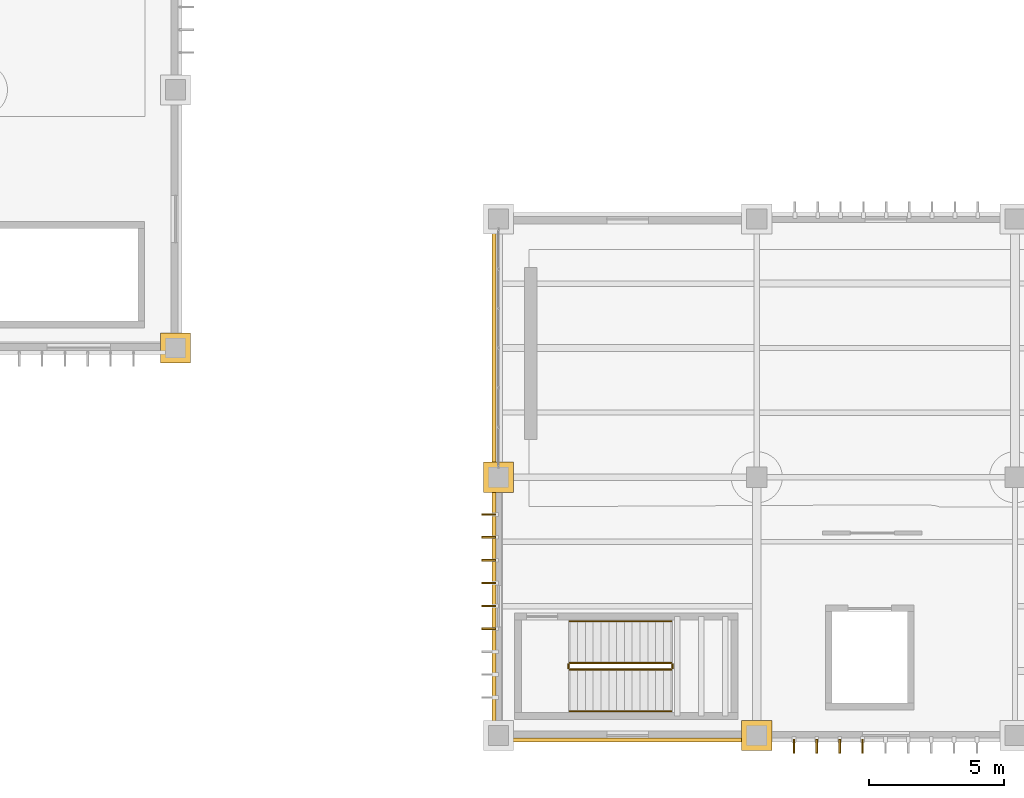
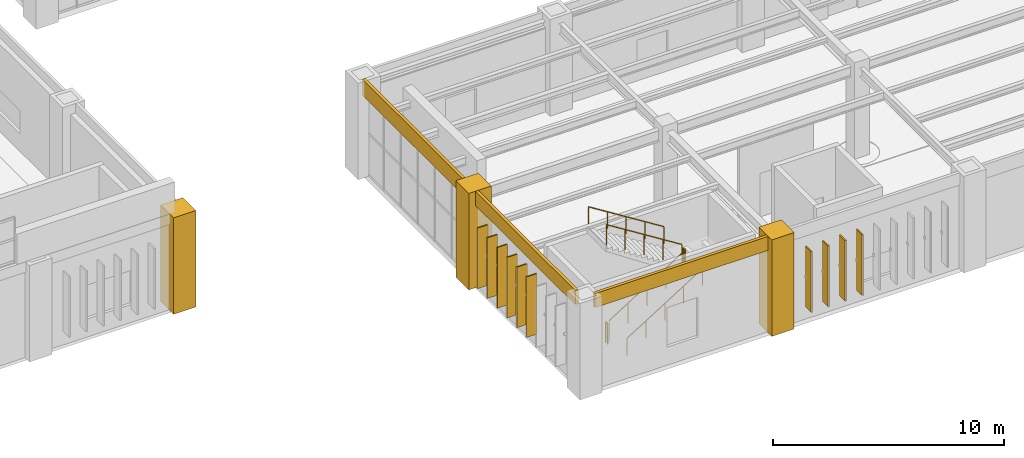
# One storey, part 160 of 174: 10 shading devices, 6 coverings, 6 railings.
"""IFC4 building model written with IfcOpenShell, lengths in metres."""

from ifc_helpers import new_model, si_unit, direction, frame, origin, origin_2d, place, context, subcontext, project, spatial, polyline, rectangle, circle, outline, extrude, material, layer, layer_set, type_object, element, save


model = new_model("IFC4")

# Units and contexts
model_context = context("Model", 3, precision=1e-05, world=origin(), true_north=direction((0.0, 1.0)))
body_context = subcontext(model_context, "Body", "Model", "MODEL_VIEW")
ifc_project = project(units=[si_unit("LENGTHUNIT", "METRE"), si_unit("AREAUNIT", "SQUARE_METRE"), si_unit("VOLUMEUNIT", "CUBIC_METRE"), si_unit("PLANEANGLEUNIT", "RADIAN"), si_unit("MASSUNIT", "GRAM", prefix="KILO")], contexts=[model_context])

# Site, building, storey
site_placement = place(None, origin())
site = spatial("IfcSite", under=ifc_project, at=site_placement, CompositionType="ELEMENT")
building_placement = place(site_placement, origin())
building = spatial("IfcBuilding", under=site, at=building_placement, Name="Mavantir Sound Aquarium", CompositionType="ELEMENT")
storey_placement = place(building_placement, frame((0.0, 0.0, 5.39990234375)))
storey = spatial("IfcBuildingStorey", under=building, at=storey_placement, Name="L01", CompositionType="ELEMENT", Elevation=5.39990234375)

# Coverings
ifc_material_1 = material(Name="Honed Coral-Limestone & Glazed Terracotta Rainscreen Cladding", Category="masonry")
ifc_layer = layer(ifc_material_1, 0.06005859375, Name="Honed Coral-Limestone & Glazed Terracotta Rainscreen Cladding")
ifc_layer_set = layer_set([ifc_layer], Name="Honed Coral-Limestone & Glazed Terracotta Rainscreen Cladding")
covering_type = type_object("IfcCoveringType", Name="COV-CLAD-TC", PredefinedType="CLADDING", material=ifc_layer_set)
covering_1_placement = place(storey_placement, frame((0.0, 0.0, 4.2490234375)))
element("IfcCovering", 1, at=covering_1_placement, inside=storey, type_object=covering_type, Name="L01 Postmodern coral-limestone spandrel frieze 267", PredefinedType="CLADDING", context=body_context, shape_type="SweptSolid", body=[
    extrude(outline(polyline([(107.909912109375, 18.81689453125), (107.909912109375, 9.98291015625), (107.760009765625, 9.98291015625), (107.760009765625, 18.81689453125), (107.909912109375, 18.81689453125)])), origin(), (0.0, 0.0, 1.0), 0.85107421875),
])
covering_2_placement = place(storey_placement, frame((0.0, 0.0, 4.356201171875)))
element("IfcCovering", 2, at=covering_2_placement, inside=storey, type_object=covering_type, Name="L01 Postmodern coral-limestone spandrel frieze 268", PredefinedType="CLADDING", context=body_context, shape_type="SweptSolid", body=[
    extrude(outline(polyline([(107.909912109375, 9.217041015625), (107.909912109375, 0.383056640625), (107.760009765625, 0.383056640625), (107.760009765625, 9.217041015625), (107.909912109375, 9.217041015625)])), origin(), (0.0, 0.0, 1.0), 0.743896484375),
])
covering_3_placement = place(storey_placement, frame((0.0, 0.0, 4.358154296875)))
element("IfcCovering", 3, at=covering_3_placement, inside=storey, type_object=covering_type, Name="L01 Postmodern coral-limestone spandrel frieze 269", PredefinedType="CLADDING", context=body_context, shape_type="SweptSolid", body=[
    extrude(outline(polyline([(108.383056640625, -0.090087890625), (117.217041015625, -0.090087890625), (117.217041015625, -0.239990234375), (108.383056640625, -0.239990234375), (108.383056640625, -0.090087890625)])), origin(), (0.0, 0.0, 1.0), 0.741943359375),
])
covering_4_placement = place(storey_placement, origin())
element("IfcCovering", 4, at=covering_4_placement, inside=storey, type_object=covering_type, Name="L01 Postmodern coral-limestone pilaster casing 422", PredefinedType="CLADDING", context=body_context, shape_type="SweptSolid", body=[
    extrude(outline(polyline([(107.43994140625, 9.0400390625), (108.56005859375, 9.0400390625), (108.56005859375, 10.159912109375), (107.43994140625, 10.159912109375), (107.43994140625, 9.0400390625)])), origin(), (0.0, 0.0, 1.0), 5.10009765625),
])
covering_5_placement = place(storey_placement, origin())
element("IfcCovering", 5, at=covering_5_placement, inside=storey, type_object=covering_type, Name="L01 Postmodern coral-limestone pilaster casing 431", PredefinedType="CLADDING", context=body_context, shape_type="SweptSolid", body=[
    extrude(outline(polyline([(117.0400390625, -0.56005859375), (118.159912109375, -0.56005859375), (118.159912109375, 0.56005859375), (117.0400390625, 0.56005859375), (117.0400390625, -0.56005859375)])), origin(), (0.0, 0.0, 1.0), 5.10009765625),
])
covering_6_placement = place(storey_placement, origin())
element("IfcCovering", 6, at=covering_6_placement, inside=storey, type_object=covering_type, Name="L01 Postmodern coral-limestone pilaster casing 486", PredefinedType="CLADDING", context=body_context, shape_type="SweptSolid", body=[
    extrude(outline(polyline([(95.43994140625, 13.840087890625), (96.56005859375, 13.840087890625), (96.56005859375, 14.9599609375), (95.43994140625, 14.9599609375), (95.43994140625, 13.840087890625)])), origin(), (0.0, 0.0, 1.0), 5.10009765625),
])

# Railings
ifc_material_2 = material(Name="Stainless Steel 316 and Laminated Glass Guardrail", Category="steel")
railing_type_1 = type_object("IfcRailingType", Name="RL-GUARD-110", PredefinedType="GUARDRAIL", material=ifc_material_2)
railing_1_placement = place(storey_placement, frame((110.64990234375, 2.449951171875, 0.18212890625)))
element("IfcRailing", 7, at=railing_1_placement, inside=storey, type_object=railing_type_1, Name="L01 ST6 stair guard 1", PredefinedType="GUARDRAIL", context=body_context, shape_type="SweptSolid", body=[
    extrude(circle(Radius=0.02392578125, at=origin_2d()), frame((0.0, 0.0, 1.076171875), z_axis=(0.846819337722, 0.0, 0.53188063441), x_axis=(0.0, 1.0, 0.0)), (0.0, 0.0, 1.0), 4.451904296875),
    extrude(circle(Radius=0.02099609375, at=origin_2d()), origin(), (0.0, 0.0, 1.0), 1.052001953125),
    extrude(circle(Radius=0.02099609375, at=origin_2d()), frame((0.9423828125, 0.0, 0.592041015625)), (0.0, 0.0, 1.0), 1.052001953125),
    extrude(circle(Radius=0.02099609375, at=origin_2d()), frame((1.885009765625, 0.0, 1.18408203125)), (0.0, 0.0, 1.0), 1.052001953125),
    extrude(circle(Radius=0.02099609375, at=origin_2d()), frame((2.82763671875, 0.0, 1.77587890625)), (0.0, 0.0, 1.0), 1.052001953125),
    extrude(circle(Radius=0.02099609375, at=origin_2d()), frame((3.77001953125, 0.0, 2.367919921875)), (0.0, 0.0, 1.0), 1.052001953125),
])
railing_2_placement = place(storey_placement, frame((114.469970703125, 2.5, 2.550048828125)))
element("IfcRailing", 8, at=railing_2_placement, inside=storey, type_object=railing_type_1, Name="L01 ST6 stair guard 2", PredefinedType="GUARDRAIL", context=body_context, shape_type="SweptSolid", body=[
    extrude(circle(Radius=0.02392578125, at=origin_2d()), frame((0.0, 0.0, 1.076171875), z_axis=(0.0, 1.0, 0.0), x_axis=(-1.0, 0.0, 0.0)), (0.0, 0.0, 1.0), 0.14990234375),
    extrude(circle(Radius=0.02099609375, at=origin_2d()), origin(), (0.0, 0.0, 1.0), 1.052001953125),
    extrude(circle(Radius=0.02099609375, at=origin_2d()), frame((0.0, 0.14990234375, 0.0)), (0.0, 0.0, 1.0), 1.052001953125),
])
railing_3_placement = place(storey_placement, frame((114.419921875, 2.699951171875, 2.732177734375)))
element("IfcRailing", 9, at=railing_3_placement, inside=storey, type_object=railing_type_1, Name="L01 ST6 stair guard 3", PredefinedType="GUARDRAIL", context=body_context, shape_type="SweptSolid", body=[
    extrude(circle(Radius=0.02392578125, at=origin_2d()), frame((0.0, 0.0, 1.076171875), z_axis=(-0.846819337722, 0.0, 0.53188063441), x_axis=(0.0, -1.0, 0.0)), (0.0, 0.0, 1.0), 4.451904296875),
    extrude(circle(Radius=0.02099609375, at=origin_2d()), origin(), (0.0, 0.0, 1.0), 1.052001953125),
    extrude(circle(Radius=0.02099609375, at=origin_2d()), frame((-0.9423828125, 0.0, 0.592041015625)), (0.0, 0.0, 1.0), 1.052001953125),
    extrude(circle(Radius=0.02099609375, at=origin_2d()), frame((-1.885009765625, 0.0, 1.18408203125)), (0.0, 0.0, 1.0), 1.052001953125),
    extrude(circle(Radius=0.02099609375, at=origin_2d()), frame((-2.82763671875, 0.0, 1.77587890625)), (0.0, 0.0, 1.0), 1.052001953125),
    extrude(circle(Radius=0.02099609375, at=origin_2d()), frame((-3.77001953125, 0.0, 2.367919921875)), (0.0, 0.0, 1.0), 1.052001953125),
])
railing_4_placement = place(storey_placement, frame((110.60009765625, 2.5, 0.0)))
element("IfcRailing", 10, at=railing_4_placement, inside=storey, type_object=railing_type_1, Name="L01 ST6 stair guard 4", PredefinedType="GUARDRAIL", context=body_context, shape_type="SweptSolid", body=[
    extrude(circle(Radius=0.02392578125, at=origin_2d()), frame((0.0, 0.0, 1.076171875), z_axis=(0.0, 1.0, 0.0), x_axis=(-1.0, 0.0, 0.0)), (0.0, 0.0, 1.0), 0.14990234375),
    extrude(circle(Radius=0.02099609375, at=origin_2d()), origin(), (0.0, 0.0, 1.0), 1.052001953125),
    extrude(circle(Radius=0.02099609375, at=origin_2d()), frame((0.0, 0.14990234375, 0.0)), (0.0, 0.0, 1.0), 1.052001953125),
])
ifc_material_3 = material(Name="Brushed Stainless Steel 316 Handrail", Category="steel")
railing_type_2 = type_object("IfcRailingType", Name="RL-HR-90", PredefinedType="HANDRAIL", material=ifc_material_3)
railing_5_placement = place(storey_placement, frame((110.64990234375, 0.89990234375, 0.3671875)))
element("IfcRailing", 11, at=railing_5_placement, inside=storey, type_object=railing_type_2, Name="L01 ST6 stair handrail 1", PredefinedType="HANDRAIL", context=body_context, shape_type="SweptSolid", body=[
    extrude(circle(Radius=0.02392578125, at=origin_2d()), frame((0.0, 0.0, 0.89111328125), z_axis=(0.846819337722, 0.0, 0.53188063441), x_axis=(0.0, 1.0, 0.0)), (0.0, 0.0, 1.0), 4.451904296875),
    extrude(circle(Radius=0.02099609375, at=origin_2d()), origin(), (0.0, 0.0, 1.0), 0.866943359375),
    extrude(circle(Radius=0.02099609375, at=origin_2d()), frame((0.9423828125, 0.0, 0.592041015625)), (0.0, 0.0, 1.0), 0.866943359375),
    extrude(circle(Radius=0.02099609375, at=origin_2d()), frame((1.885009765625, 0.0, 1.18408203125)), (0.0, 0.0, 1.0), 0.866943359375),
    extrude(circle(Radius=0.02099609375, at=origin_2d()), frame((2.82763671875, 0.0, 1.77587890625)), (0.0, 0.0, 1.0), 0.866943359375),
    extrude(circle(Radius=0.02099609375, at=origin_2d()), frame((3.77001953125, 0.0, 2.367919921875)), (0.0, 0.0, 1.0), 0.866943359375),
])
railing_6_placement = place(storey_placement, frame((114.419921875, 4.25, 2.917236328125)))
element("IfcRailing", 12, at=railing_6_placement, inside=storey, type_object=railing_type_2, Name="L01 ST6 stair handrail 2", PredefinedType="HANDRAIL", context=body_context, shape_type="SweptSolid", body=[
    extrude(circle(Radius=0.02392578125, at=origin_2d()), frame((0.0, 0.0, 0.89111328125), z_axis=(-0.846819337722, 0.0, 0.53188063441), x_axis=(0.0, -1.0, 0.0)), (0.0, 0.0, 1.0), 4.451904296875),
    extrude(circle(Radius=0.02099609375, at=origin_2d()), origin(), (0.0, 0.0, 1.0), 0.866943359375),
    extrude(circle(Radius=0.02099609375, at=origin_2d()), frame((-0.9423828125, 0.0, 0.592041015625)), (0.0, 0.0, 1.0), 0.866943359375),
    extrude(circle(Radius=0.02099609375, at=origin_2d()), frame((-1.885009765625, 0.0, 1.18408203125)), (0.0, 0.0, 1.0), 0.866943359375),
    extrude(circle(Radius=0.02099609375, at=origin_2d()), frame((-2.82763671875, 0.0, 1.77587890625)), (0.0, 0.0, 1.0), 0.866943359375),
    extrude(circle(Radius=0.02099609375, at=origin_2d()), frame((-3.77001953125, 0.0, 2.367919921875)), (0.0, 0.0, 1.0), 0.866943359375),
])

# Shading devices
ifc_material_4 = material(Name="Anodised Terracotta-Finish Aluminium Brise-Soleil", Category="masonry")
shading_device_type = type_object("IfcShadingDeviceType", Name="SHD-FIN-520", PredefinedType="JALOUSIE", material=ifc_material_4)
for number, where, z_axis, x_axis, name in (
    (13, (107.639892578125, 8.217041015625, 0.60302734375), (0.0, 0.0, 1.0), (0.0, 1.0, 0.0), "Tropical solar brise-soleil fin 47"),
    (14, (107.639892578125, 7.366943359375, 0.60302734375), (0.0, 0.0, 1.0), (0.0, 1.0, 0.0), "Tropical solar brise-soleil fin 48"),
    (15, (107.639892578125, 6.51708984375, 0.60302734375), (0.0, 0.0, 1.0), (0.0, 1.0, 0.0), "Tropical solar brise-soleil fin 49"),
    (16, (107.639892578125, 5.6669921875, 0.60302734375), (0.0, 0.0, 1.0), (0.0, 1.0, 0.0), "Tropical solar brise-soleil fin 50"),
    (17, (107.639892578125, 4.81689453125, 0.60302734375), (0.0, 0.0, 1.0), (0.0, 1.0, 0.0), "Tropical solar brise-soleil fin 51"),
    (18, (107.639892578125, 3.967041015625, 0.60302734375), (0.0, 0.0, 1.0), (0.0, 1.0, 0.0), "Tropical solar brise-soleil fin 52"),
    (19, (118.98291015625, -0.39501953125, 0.65673828125), (0.0, 0.0, 1.0), (-1.0, 0.0, 0.0), "Tropical solar brise-soleil fin 56"),
    (20, (119.8330078125, -0.39501953125, 0.65673828125), (0.0, 0.0, 1.0), (-1.0, 0.0, 0.0), "Tropical solar brise-soleil fin 57"),
    (21, (120.68310546875, -0.39501953125, 0.65673828125), (0.0, 0.0, 1.0), (-1.0, 0.0, 0.0), "Tropical solar brise-soleil fin 58"),
    (22, (121.532958984375, -0.39501953125, 0.65673828125), (0.0, 0.0, 1.0), (-1.0, 0.0, 0.0), "Tropical solar brise-soleil fin 59"),
):
    element("IfcShadingDevice", number, at=place(storey_placement, frame(where, z_axis=z_axis, x_axis=x_axis)), inside=storey, type_object=shading_device_type, Name=name, PredefinedType="JALOUSIE", context=body_context, shape_type="SweptSolid", body=[
        extrude(rectangle(XDim=0.06494140625, YDim=0.52001953125, at=origin_2d()), origin(), (0.0, 0.0, 1.0), 3.199951171875),
    ])

save(model, "model.ifc")
